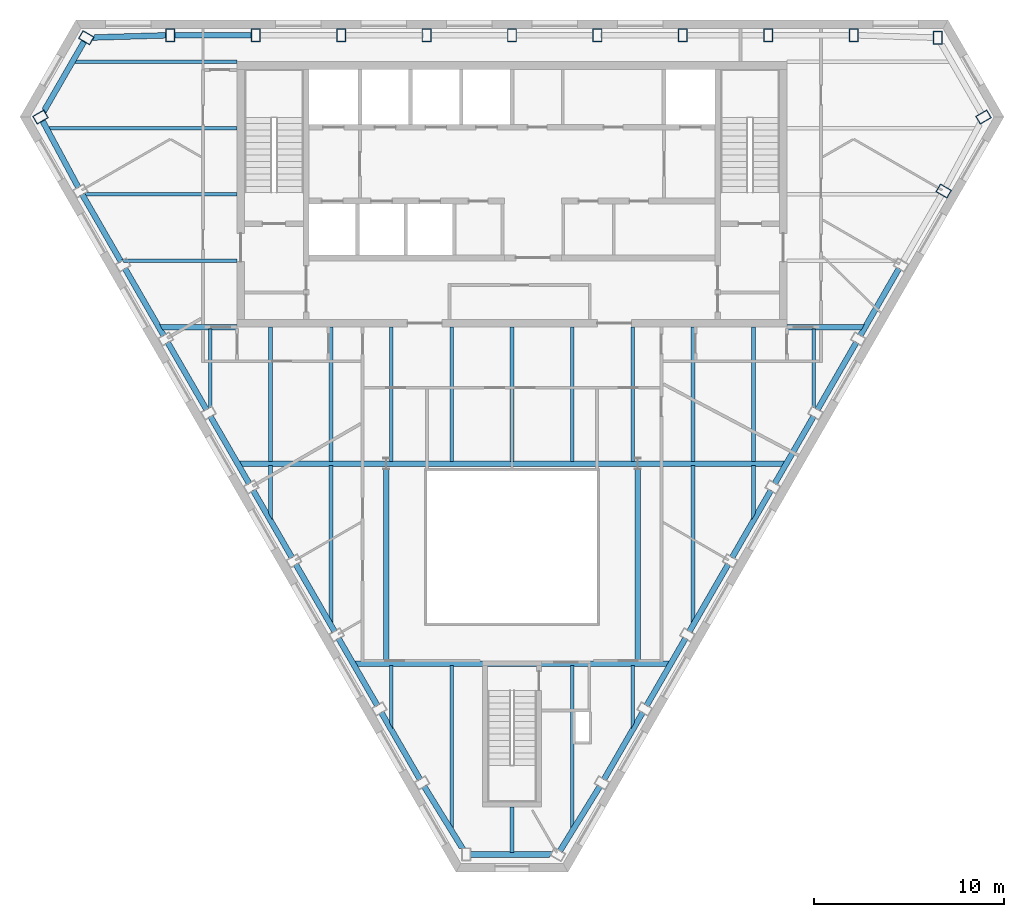
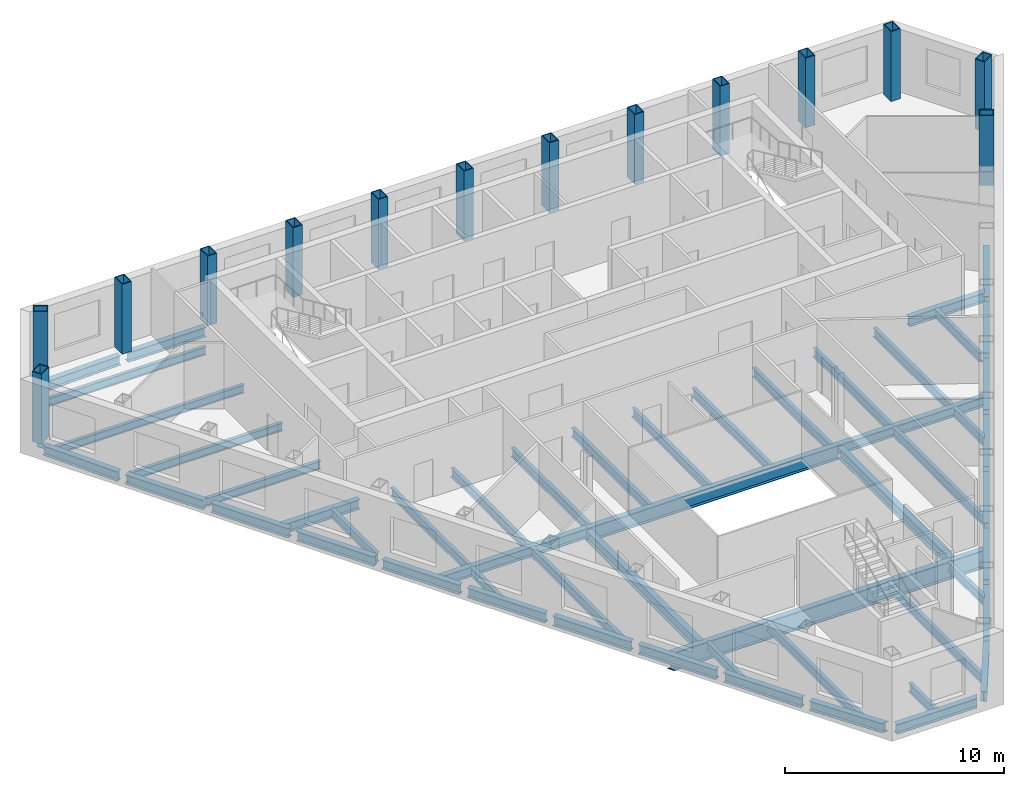
# One storey, part 2 of 10: 54 beams, 14 columns.
"""IFC4 building model written with IfcOpenShell, lengths in metres."""

import ifcopenshell
import ifcopenshell.guid

model = None  # the IFC model being written
_history = None  # IfcOwnerHistory: only IFC2X3 demands one
_inside = {}  # id of a spatial element -> (the spatial element, [elements in it])
_under = {}  # id of a project, library or spatial element -> (it, [spatial elements below it])
_declared = {}  # id of a project -> (the project, [libraries it declares])
_typed = {}  # id of a type object -> (the type object, [elements of that type])
_made_of = {}  # id of a material, layer set ... -> (it, [elements and type objects made of it])


def new_model(schema):
    """Start an empty IFC model of exactly this schema.

    Asked for "IFC4X3", IfcOpenShell would pick the latest addendum, in which some entities
    have other attributes; the version numbers below select the first issue.
    IFC2X3 requires an IfcOwnerHistory on every rooted entity: one is made here for all.
    """
    global model, _history
    if schema == "IFC4X3":
        model = ifcopenshell.file(schema_version=(4, 3, 0, 0))
    else:
        model = ifcopenshell.file(schema=schema)
    _inside.clear()
    _under.clear()
    _declared.clear()
    _typed.clear()
    _made_of.clear()
    _history = None
    if model.schema == "IFC2X3":
        org = make("IfcOrganization", Name="unknown")
        user = make(
            "IfcPersonAndOrganization",
            ThePerson=make("IfcPerson", FamilyName="unknown"),
            TheOrganization=org,
        )
        app = make(
            "IfcApplication",
            ApplicationDeveloper=org,
            Version="unknown",
            ApplicationFullName="unknown",
            ApplicationIdentifier="unknown",
        )
        _history = make(
            "IfcOwnerHistory",
            OwningUser=user,
            OwningApplication=app,
            ChangeAction="ADDED",
            CreationDate=0,
        )
    return model


def make(cls, **values):
    """One entity of the class cls with the attributes given. An attribute that is None is left unset."""
    return model.create_entity(
        cls, **{name: value for name, value in values.items() if value is not None}
    )


def rooted(cls, **values):
    """An entity with a GlobalId (a new one), such as an element, a storey or a relation."""
    return make(cls, GlobalId=ifcopenshell.guid.new(), OwnerHistory=_history, **values)


def si_unit(unit_type, name, prefix=None):
    """IfcSIUnit, for example si_unit("LENGTHUNIT", "METRE", prefix="MILLI")."""
    return make("IfcSIUnit", UnitType=unit_type, Prefix=prefix, Name=name)


def assignment(units):
    """IfcUnitAssignment: the units of a project."""
    return None if units is None else make("IfcUnitAssignment", Units=units)


def point(xyz):
    """IfcCartesianPoint."""
    return None if xyz is None else make("IfcCartesianPoint", Coordinates=xyz)


def direction(xyz):
    """IfcDirection."""
    return None if xyz is None else make("IfcDirection", DirectionRatios=xyz)


def frame(location, z_axis=None, x_axis=None):
    """IfcAxis2Placement3D, a coordinate frame: its origin and axes. An axis left out is left unset."""
    return make(
        "IfcAxis2Placement3D",
        Location=point(location),
        Axis=direction(z_axis),
        RefDirection=direction(x_axis),
    )


def frame_2d(location, x_axis=None):
    """IfcAxis2Placement2D, a coordinate frame in the plane: its origin and x axis."""
    return make(
        "IfcAxis2Placement2D", Location=point(location), RefDirection=direction(x_axis)
    )


def origin():
    """The frame at (0, 0, 0) with its axes left unset."""
    return frame((0.0, 0.0, 0.0))


def origin_2d():
    """The frame at (0, 0) in the plane with its x axis left unset."""
    return frame_2d((0.0, 0.0))


def place(relative_to, where):
    """IfcLocalPlacement: puts the frame where relative to a parent placement (None: the world)."""
    return make(
        "IfcLocalPlacement", PlacementRelTo=relative_to, RelativePlacement=where
    )


def context(
    kind, dimensions, precision=None, world=None, true_north=None, identifier=None
):
    """IfcGeometricRepresentationContext, for example the 3D "Model" context."""
    return make(
        "IfcGeometricRepresentationContext",
        ContextIdentifier=identifier,
        ContextType=kind,
        CoordinateSpaceDimension=dimensions,
        Precision=precision,
        WorldCoordinateSystem=world,
        TrueNorth=true_north,
    )


def subcontext(parent, identifier, kind, view, scale=None):
    """IfcGeometricRepresentationSubContext, for example "Body" below "Model"."""
    return make(
        "IfcGeometricRepresentationSubContext",
        ContextIdentifier=identifier,
        ContextType=kind,
        ParentContext=parent,
        TargetScale=scale,
        TargetView=view,
    )


def project(units=None, contexts=None):
    """IfcProject with its units and contexts."""
    return rooted(
        "IfcProject",
        Name="project",
        RepresentationContexts=contexts,
        UnitsInContext=assignment(units),
    )


def spatial(cls, under=None, at=None, **own):
    """A site, building, storey or space (cls), placed at a placement, below another one or the project."""
    s = rooted(cls, ObjectPlacement=at, **own)
    if under is not None:
        _under.setdefault(under.id(), (under, []))[1].append(s)
    return s


def profile(cls, at=None, kind="AREA", **sizes):
    """A parametric profile (cls). Its sizes go by their IFC names, for example OverallWidth=200.0."""
    return make(cls, ProfileType=kind, Position=at, **sizes)


def hollow_rectangle(**sizes):
    """IfcRectangleHollowProfileDef."""
    return profile("IfcRectangleHollowProfileDef", **sizes)


def i_section(**sizes):
    """IfcIShapeProfileDef."""
    return profile("IfcIShapeProfileDef", **sizes)


def extrude(swept, where, along, depth):
    """IfcExtrudedAreaSolid: the profile swept, set in the frame where, extruded along a direction by depth."""
    return make(
        "IfcExtrudedAreaSolid",
        SweptArea=swept,
        Position=where,
        ExtrudedDirection=direction(along),
        Depth=depth,
    )


def clip(a, b, op="DIFFERENCE"):
    """IfcBooleanClippingResult: the solid a cut by the half space b."""
    return make(
        "IfcBooleanClippingResult", Operator=op, FirstOperand=a, SecondOperand=b
    )


def halfspace(plane, agree):
    """IfcHalfSpaceSolid: all space on one side of the plane z = 0 of the frame plane."""
    return make(
        "IfcHalfSpaceSolid",
        BaseSurface=make("IfcPlane", Position=plane),
        AgreementFlag=agree,
    )


def shape(context_of_items, identifier, shape_type, items):
    """IfcShapeRepresentation: the items that make up one representation, for example the "Body"."""
    return make(
        "IfcShapeRepresentation",
        ContextOfItems=context_of_items,
        RepresentationIdentifier=identifier,
        RepresentationType=shape_type,
        Items=items,
    )


def material(Name=None, Category=None):
    """IfcMaterial."""
    return make("IfcMaterial", Name=Name, Category=Category)


def material_profile(
    of_material, cross_section, Name=None, Category=None, Priority=None
):
    """IfcMaterialProfile: a cross section and its material."""
    return make(
        "IfcMaterialProfile",
        Name=Name,
        Material=of_material,
        Profile=cross_section,
        Priority=Priority,
        Category=Category,
    )


def profile_set(profiles, Name=None, composite=None):
    """IfcMaterialProfileSet."""
    return make(
        "IfcMaterialProfileSet",
        Name=Name,
        MaterialProfiles=profiles,
        CompositeProfile=composite,
    )


def made_of(thing, what):
    """Note that an element or type object is made of a material, layer set ...; save() writes the relation."""
    if what is not None:
        _made_of.setdefault(what.id(), (what, []))[1].append(thing)
    return thing


def type_object(cls, material=None, **own):
    """A type object (cls), such as IfcWallType, which elements share."""
    return made_of(rooted(cls, **own), material)


def element(
    cls,
    number,
    at=None,
    inside=None,
    cuts=None,
    type_object=None,
    material=None,
    context=None,
    identifier="Body",
    shape_type=None,
    held_by="IfcProductDefinitionShape",
    body=None,
    shapes=None,
    **own,
):
    """One element of the class cls, such as IfcWall. Its Tag is "e" and its number.

    at: its placement. inside: the storey or other place that contains it. cuts: it is an
    opening in that element (IfcRelVoidsElement). A single representation is given by context,
    identifier, shape_type and body (its items); several are given by shapes. held_by: the class
    of the entity that holds the representations. save() writes the other relations.
    """
    e = rooted(cls, Tag="e%d" % number, ObjectPlacement=at, **own)
    if body is not None:
        shapes = [shape(context, identifier, shape_type, body)]
    if shapes is not None:
        e.Representation = make(held_by, Representations=shapes)
    if inside is not None:
        _inside.setdefault(inside.id(), (inside, []))[1].append(e)
    if cuts is not None:
        rooted(
            "IfcRelVoidsElement", RelatingBuildingElement=cuts, RelatedOpeningElement=e
        )
    if type_object is not None:
        _typed.setdefault(type_object.id(), (type_object, []))[1].append(e)
    return made_of(e, material)


def aggregate(whole, parts):
    """IfcRelAggregates: a whole, such as a stair, and the parts it consists of."""
    return rooted("IfcRelAggregates", RelatingObject=whole, RelatedObjects=parts)


def save(model, path):
    """Write the relations noted so far, then the file.

    IfcRelAggregates (storeys below a building ...), IfcRelContainedInSpatialStructure (elements
    in a storey), IfcRelDefinesByType, IfcRelAssociatesMaterial and IfcRelDeclares: one each for
    every whole, place, type object, material and project.
    """
    for whole, parts in _under.values():
        aggregate(whole, parts)
    for where, things in _inside.values():
        rooted(
            "IfcRelContainedInSpatialStructure",
            RelatedElements=things,
            RelatingStructure=where,
        )
    for kind, things in _typed.values():
        rooted("IfcRelDefinesByType", RelatedObjects=things, RelatingType=kind)
    for what, things in _made_of.values():
        rooted("IfcRelAssociatesMaterial", RelatedObjects=things, RelatingMaterial=what)
    for by, libraries in _declared.values():
        rooted("IfcRelDeclares", RelatingContext=by, RelatedDefinitions=libraries)
    model.write(path)


model = new_model("IFC4")

# Units and contexts
model_context = context("Model", 3, precision=1e-05, world=origin(), true_north=direction((0.0, 1.0)))
body_context = subcontext(model_context, "Body", "Model", "MODEL_VIEW")
ifc_project = project(units=[si_unit("LENGTHUNIT", "METRE"), si_unit("AREAUNIT", "SQUARE_METRE"), si_unit("VOLUMEUNIT", "CUBIC_METRE"), si_unit("PLANEANGLEUNIT", "RADIAN"), si_unit("MASSUNIT", "GRAM", prefix="KILO")], contexts=[model_context])

# Site, building, storey
site_placement = place(None, origin())
site = spatial("IfcSite", under=ifc_project, at=site_placement, CompositionType="ELEMENT")
building_placement = place(site_placement, origin())
building = spatial("IfcBuilding", under=site, at=building_placement, Name="Njiva Tower", CompositionType="ELEMENT")
storey_placement = place(building_placement, frame((0.0, 0.0, 264.9)))
storey = spatial("IfcBuildingStorey", under=building, at=storey_placement, Name="L60", CompositionType="ELEMENT", Elevation=264.9)

# Columns
ifc_material = material(Name="Steel S355 J2", Category="steel")
ifc_material_profile_1 = material_profile(ifc_material, hollow_rectangle(XDim=0.5, YDim=0.7, WallThickness=0.045, at=origin_2d()), Name="BOX 700x500x45")
ifc_profile_set_1 = profile_set([ifc_material_profile_1], Name="Steel S355 J2")
column_type = type_object("IfcColumnType", Name="C13 Perimeter tube column BOX 700x500x45", PredefinedType="COLUMN", material=ifc_profile_set_1)
for number, where, z_axis, x_axis, name in (
    (1, (22.456, 19.267, 0.0), (0.0, 0.0, 1.0), (-1.0, 0.0, 0.0), "Perimeter tube column S19-C01"),
    (2, (18.026, 19.4, 0.0), (0.0, 0.0, 1.0), (-1.0, 0.0, 0.0), "Perimeter tube column S19-C02"),
    (3, (13.52, 19.4, 0.0), (0.0, 0.0, 1.0), (-1.0, 0.0, 0.0), "Perimeter tube column S19-C03"),
    (4, (9.013, 19.4, 0.0), (0.0, 0.0, 1.0), (-1.0, 0.0, 0.0), "Perimeter tube column S19-C04"),
    (5, (4.507, 19.4, 0.0), (0.0, 0.0, 1.0), (-1.0, 0.0, 0.0), "Perimeter tube column S19-C05"),
    (6, (0.0, 19.4, 0.0), (0.0, 0.0, 1.0), (-1.0, 0.0, 0.0), "Perimeter tube column S19-C06"),
    (7, (-4.507, 19.4, 0.0), (0.0, 0.0, 1.0), (-1.0, 0.0, 0.0), "Perimeter tube column S19-C07"),
    (8, (-9.013, 19.4, 0.0), (0.0, 0.0, 1.0), (-1.0, 0.0, 0.0), "Perimeter tube column S19-C08"),
    (9, (-13.52, 19.4, 0.0), (0.0, 0.0, 1.0), (-1.0, 0.0, 0.0), "Perimeter tube column S19-C09"),
    (10, (-18.026, 19.4, 0.0), (0.0, 0.0, 1.0), (-1.0, 0.0, 0.0), "Perimeter tube column S19-C10"),
    (11, (-22.456, 19.267, 0.0), (0.0, 0.0, 1.0), (-0.5, -0.866025403784, 0.0), "Perimeter tube column S19-C11"),
    (12, (-24.873, 15.082, 0.0), (0.0, 0.0, 1.0), (0.5, -0.866025403784, 0.0), "Perimeter tube column S19-C12"),
    (13, (22.773, 11.179, 0.0), (0.0, 0.0, 1.0), (0.5, 0.866025403784, 0.0), "Perimeter tube column S19-C32"),
    (14, (24.873, 15.082, 0.0), (0.0, 0.0, 1.0), (-0.5, 0.866025403784, 0.0), "Perimeter tube column S19-C33"),
):
    element("IfcColumn", number, at=place(storey_placement, frame(where, z_axis=z_axis, x_axis=x_axis)), inside=storey, type_object=column_type, Name=name, PredefinedType="COLUMN", context=body_context, shape_type="SweptSolid", body=[
        extrude(hollow_rectangle(XDim=0.5, YDim=0.7, WallThickness=0.045, at=origin_2d()), origin(), (0.0, 0.0, 1.0), 3.9),
    ])

# Beams
ifc_material_profile_2 = material_profile(ifc_material, i_section(OverallWidth=0.3, OverallDepth=0.59, WebThickness=0.013, FlangeThickness=0.025, at=origin_2d()), Name="HEA 600")
ifc_profile_set_2 = profile_set([ifc_material_profile_2], Name="Steel S355 J2")
beam_type_1 = type_object("IfcBeamType", Name="B30 Long-span atrium trimmer beam HEA 600", PredefinedType="BEAM", material=ifc_profile_set_2)
for number, where, z_axis, x_axis, name in (
    (15, (6.63, -13.649, -0.495), (0.0, 1.0, 0.0), (-1.0, 0.0, 0.0), "Long-span atrium trimmer beam S19-B065"),
    (16, (-6.63, -3.45, -0.495), (0.0, -1.0, 0.0), (1.0, 0.0, 0.0), "Long-span atrium trimmer beam S19-B062"),
):
    element("IfcBeam", number, at=place(storey_placement, frame(where, z_axis=z_axis, x_axis=x_axis)), inside=storey, type_object=beam_type_1, Name=name, PredefinedType="BEAM", context=body_context, shape_type="SweptSolid", body=[
        extrude(i_section(OverallWidth=0.3, OverallDepth=0.59, WebThickness=0.013, FlangeThickness=0.025, at=origin_2d()), origin(), (0.0, 0.0, 1.0), 10.199),
    ])
ifc_material_profile_3 = material_profile(ifc_material, i_section(OverallWidth=0.19, OverallDepth=0.45, WebThickness=0.0094, FlangeThickness=0.0146, at=origin_2d()), Name="IPE 450")
ifc_profile_set_3 = profile_set([ifc_material_profile_3], Name="Steel S355 J2")
beam_type_2 = type_object("IfcBeamType", Name="B37 Floor beam to the core IPE 450", PredefinedType="BEAM", material=ifc_profile_set_3)
beam_1_placement = place(storey_placement, frame((-20.608, 7.5, -0.425), z_axis=(1.0, 0.0, 0.0), x_axis=(0.0, 1.0, 0.0)))
element("IfcBeam", 17, at=beam_1_placement, inside=storey, type_object=beam_type_2, Name="Floor beam to the core S19-B005", PredefinedType="BEAM", context=body_context, shape_type="Clipping", body=[
    clip(extrude(i_section(OverallWidth=0.19, OverallDepth=0.45, WebThickness=0.0094, FlangeThickness=0.0146, at=origin_2d()), origin(), (0.0, 0.0, 1.0), 6.108), halfspace(frame((-0.025, 0.0, 0.089), z_axis=(-0.499998009787, 0.0, -0.866026552831), x_axis=(0.0, -1.0, 0.0)), False)),
])
beam_2_placement = place(storey_placement, frame((-22.868, 11.0, -0.425), z_axis=(1.0, 0.0, 0.0), x_axis=(0.0, 1.0, 0.0)))
element("IfcBeam", 18, at=beam_2_placement, inside=storey, type_object=beam_type_2, Name="Floor beam to the core S19-B003", PredefinedType="BEAM", context=body_context, shape_type="Clipping", body=[
    clip(extrude(i_section(OverallWidth=0.19, OverallDepth=0.45, WebThickness=0.0094, FlangeThickness=0.0146, at=origin_2d()), origin(), (0.0, 0.0, 1.0), 8.368), halfspace(frame((0.0433, 0.0, 0.26), z_axis=(0.866026552831, 0.0, -0.499998009787), x_axis=(0.0, -1.0, 0.0)), False)),
])
beam_3_placement = place(storey_placement, frame((-23.147, 18.0, -0.425), z_axis=(1.0, 0.0, 0.0), x_axis=(0.0, 1.0, 0.0)))
element("IfcBeam", 19, at=beam_3_placement, inside=storey, type_object=beam_type_2, Name="Floor beam to the core S19-B002", PredefinedType="BEAM", context=body_context, shape_type="Clipping", body=[
    clip(extrude(i_section(OverallWidth=0.19, OverallDepth=0.45, WebThickness=0.0094, FlangeThickness=0.0146, at=origin_2d()), origin(), (0.0, 0.0, 1.0), 8.647), halfspace(frame((0.025, 0.0, 0.0892), z_axis=(0.499998009787, 0.0, -0.866026552831), x_axis=(0.0, -1.0, 0.0)), False)),
])
ifc_material_profile_4 = material_profile(ifc_material, i_section(OverallWidth=0.3, OverallDepth=0.54, WebThickness=0.0125, FlangeThickness=0.024, at=origin_2d()), Name="HEA 550")
ifc_profile_set_4 = profile_set([ifc_material_profile_4], Name="Steel S355 J2")
beam_type_3 = type_object("IfcBeamType", Name="B39 Short-span spandrel beam HEA 550", PredefinedType="SPANDREL", material=ifc_profile_set_4)
beam_4_placement = place(storey_placement, frame((-13.72, 19.4, -0.47), z_axis=(-1.0, 0.0, 0.0), x_axis=(0.0, -1.0, 0.0)))
element("IfcBeam", 20, at=beam_4_placement, inside=storey, type_object=beam_type_3, Name="Short-span spandrel beam S19-B080", PredefinedType="SPANDREL", context=body_context, shape_type="SweptSolid", body=[
    extrude(i_section(OverallWidth=0.3, OverallDepth=0.54, WebThickness=0.0125, FlangeThickness=0.024, at=origin_2d()), origin(), (0.0, 0.0, 1.0), 4.106),
])
beam_5_placement = place(storey_placement, frame((-18.23, 19.394, -0.47), z_axis=(-0.999544251212, -0.030187578057, 0.0), x_axis=(0.030187578057, -0.999544251212, 0.0)))
element("IfcBeam", 21, at=beam_5_placement, inside=storey, type_object=beam_type_3, Name="Short-span spandrel beam S19-B074", PredefinedType="SPANDREL", context=body_context, shape_type="Clipping", body=[
    clip(extrude(i_section(OverallWidth=0.3, OverallDepth=0.54, WebThickness=0.0125, FlangeThickness=0.024, at=origin_2d()), origin(), (0.0, 0.0, 1.0), 3.9888), halfspace(frame((-0.0268, 0.0, 3.859), z_axis=(-0.525913380463, 0.0, 0.850538133331), x_axis=(0.0, 1.0, 0.0)), False)),
])
beam_6_placement = place(storey_placement, frame((-22.556, 19.094, -0.47), z_axis=(-0.500052205539, -0.865995260805, 0.0), x_axis=(0.865995260805, -0.500052205539, 0.0)))
element("IfcBeam", 22, at=beam_6_placement, inside=storey, type_object=beam_type_3, Name="Short-span spandrel beam S19-B070", PredefinedType="SPANDREL", context=body_context, shape_type="Clipping", body=[
    clip(extrude(i_section(OverallWidth=0.3, OverallDepth=0.54, WebThickness=0.0125, FlangeThickness=0.024, at=origin_2d()), origin(), (0.0, 0.0, 1.0), 4.3946), halfspace(frame((-0.0248, 0.0, 4.2724), z_axis=(-0.499949782924, 0.0, 0.866054394686), x_axis=(0.0, 1.0, 0.0)), False)),
])
beam_7_placement = place(storey_placement, frame((-24.776, 14.903, -0.47), z_axis=(0.473655185063, -0.880710375585, 0.0), x_axis=(0.880710375585, 0.473655185063, 0.0)))
element("IfcBeam", 23, at=beam_7_placement, inside=storey, type_object=beam_type_3, Name="Short-span spandrel beam S19-B068", PredefinedType="SPANDREL", context=body_context, shape_type="SweptSolid", body=[
    extrude(i_section(OverallWidth=0.3, OverallDepth=0.54, WebThickness=0.0125, FlangeThickness=0.024, at=origin_2d()), origin(), (0.0, 0.0, 1.0), 4.024),
])
beam_8_placement = place(storey_placement, frame((-22.673, 11.006, -0.47), z_axis=(0.49988405051, -0.866092336905, 0.0), x_axis=(0.866092336905, 0.49988405051, 0.0)))
element("IfcBeam", 24, at=beam_8_placement, inside=storey, type_object=beam_type_3, Name="Short-span spandrel beam S19-B071", PredefinedType="SPANDREL", context=body_context, shape_type="SweptSolid", body=[
    extrude(i_section(OverallWidth=0.3, OverallDepth=0.54, WebThickness=0.0125, FlangeThickness=0.024, at=origin_2d()), origin(), (0.0, 0.0, 1.0), 4.107),
])
beam_9_placement = place(storey_placement, frame((-20.42, 7.103, -0.47), z_axis=(0.500066662559, -0.865986912717, 0.0), x_axis=(0.865986912717, 0.500066662559, 0.0)))
element("IfcBeam", 25, at=beam_9_placement, inside=storey, type_object=beam_type_3, Name="Short-span spandrel beam S19-B075", PredefinedType="SPANDREL", context=body_context, shape_type="SweptSolid", body=[
    extrude(i_section(OverallWidth=0.3, OverallDepth=0.54, WebThickness=0.0125, FlangeThickness=0.024, at=origin_2d()), origin(), (0.0, 0.0, 1.0), 4.1075),
])
beam_10_placement = place(storey_placement, frame((-18.166, 3.2, -0.47), z_axis=(0.49988405051, -0.866092336905, 0.0), x_axis=(0.866092336905, 0.49988405051, 0.0)))
element("IfcBeam", 26, at=beam_10_placement, inside=storey, type_object=beam_type_3, Name="Short-span spandrel beam S19-B077", PredefinedType="SPANDREL", context=body_context, shape_type="SweptSolid", body=[
    extrude(i_section(OverallWidth=0.3, OverallDepth=0.54, WebThickness=0.0125, FlangeThickness=0.024, at=origin_2d()), origin(), (0.0, 0.0, 1.0), 4.107),
])
beam_11_placement = place(storey_placement, frame((-15.913, -0.703, -0.47), z_axis=(0.499989486807, -0.866031473494, 0.0), x_axis=(0.866031473494, 0.499989486807, 0.0)))
element("IfcBeam", 27, at=beam_11_placement, inside=storey, type_object=beam_type_3, Name="Short-span spandrel beam S19-B081", PredefinedType="SPANDREL", context=body_context, shape_type="SweptSolid", body=[
    extrude(i_section(OverallWidth=0.3, OverallDepth=0.54, WebThickness=0.0125, FlangeThickness=0.024, at=origin_2d()), origin(), (0.0, 0.0, 1.0), 4.1061),
])
beam_12_placement = place(storey_placement, frame((-13.66, -4.605, -0.47), z_axis=(0.500066662559, -0.865986912717, 0.0), x_axis=(0.865986912717, 0.500066662559, 0.0)))
element("IfcBeam", 28, at=beam_12_placement, inside=storey, type_object=beam_type_3, Name="Short-span spandrel beam S19-B083", PredefinedType="SPANDREL", context=body_context, shape_type="SweptSolid", body=[
    extrude(i_section(OverallWidth=0.3, OverallDepth=0.54, WebThickness=0.0125, FlangeThickness=0.024, at=origin_2d()), origin(), (0.0, 0.0, 1.0), 4.1075),
])
for number, where, z_axis, x_axis, name in (
    (29, (-11.406, -8.508, -0.47), (0.49988405051, -0.866092336905, 0.0), (0.866092336905, 0.49988405051, 0.0), "Short-span spandrel beam S19-B087"),
    (30, (-9.153, -12.411, -0.47), (0.49988405051, -0.866092336905, 0.0), (0.866092336905, 0.49988405051, 0.0), "Short-span spandrel beam S19-B089"),
):
    element("IfcBeam", number, at=place(storey_placement, frame(where, z_axis=z_axis, x_axis=x_axis)), inside=storey, type_object=beam_type_3, Name=name, PredefinedType="SPANDREL", context=body_context, shape_type="SweptSolid", body=[
        extrude(i_section(OverallWidth=0.3, OverallDepth=0.54, WebThickness=0.0125, FlangeThickness=0.024, at=origin_2d()), origin(), (0.0, 0.0, 1.0), 4.107),
    ])
beam_13_placement = place(storey_placement, frame((-6.9, -16.314, -0.47), z_axis=(0.500066662559, -0.865986912717, 0.0), x_axis=(0.865986912717, 0.500066662559, 0.0)))
element("IfcBeam", 31, at=beam_13_placement, inside=storey, type_object=beam_type_3, Name="Short-span spandrel beam S19-B093", PredefinedType="SPANDREL", context=body_context, shape_type="SweptSolid", body=[
    extrude(i_section(OverallWidth=0.3, OverallDepth=0.54, WebThickness=0.0125, FlangeThickness=0.024, at=origin_2d()), origin(), (0.0, 0.0, 1.0), 4.1075),
])
beam_14_placement = place(storey_placement, frame((-4.639, -20.218, -0.47), z_axis=(0.525910354603, -0.850540004304, 0.0), x_axis=(0.850540004304, 0.525910354603, 0.0)))
element("IfcBeam", 32, at=beam_14_placement, inside=storey, type_object=beam_type_3, Name="Short-span spandrel beam S19-B095", PredefinedType="SPANDREL", context=body_context, shape_type="Clipping", body=[
    clip(extrude(i_section(OverallWidth=0.3, OverallDepth=0.54, WebThickness=0.0125, FlangeThickness=0.024, at=origin_2d()), origin(), (0.0, 0.0, 1.0), 3.9882), halfspace(frame((-0.0267, 0.0, 3.8587), z_axis=(-0.525910354603, 0.0, 0.850540004304), x_axis=(0.0, 1.0, 0.0)), False)),
])
beam_15_placement = place(storey_placement, frame((-2.216, -23.814, -0.47), z_axis=(1.0, 0.0, 0.0), x_axis=(0.0, 1.0, 0.0)))
element("IfcBeam", 33, at=beam_15_placement, inside=storey, type_object=beam_type_3, Name="Short-span spandrel beam S19-B099", PredefinedType="SPANDREL", context=body_context, shape_type="Clipping", body=[
    clip(extrude(i_section(OverallWidth=0.3, OverallDepth=0.54, WebThickness=0.0125, FlangeThickness=0.024, at=origin_2d()), origin(), (0.0, 0.0, 1.0), 4.393), halfspace(frame((-0.0246, 0.0, 4.2714), z_axis=(-0.499998009787, 0.0, 0.866026552831), x_axis=(0.0, 1.0, 0.0)), False)),
])
beam_16_placement = place(storey_placement, frame((2.523, -23.641, -0.47), z_axis=(0.525815559742, 0.850598611058, 0.0), x_axis=(-0.850598611058, 0.525815559742, 0.0)))
element("IfcBeam", 34, at=beam_16_placement, inside=storey, type_object=beam_type_3, Name="Short-span spandrel beam S19-B102", PredefinedType="SPANDREL", context=body_context, shape_type="SweptSolid", body=[
    extrude(i_section(OverallWidth=0.3, OverallDepth=0.54, WebThickness=0.0125, FlangeThickness=0.024, at=origin_2d()), origin(), (0.0, 0.0, 1.0), 4.0242),
])
beam_17_placement = place(storey_placement, frame((4.846, -19.871, -0.47), z_axis=(0.500066662559, 0.865986912717, 0.0), x_axis=(-0.865986912717, 0.500066662559, 0.0)))
element("IfcBeam", 35, at=beam_17_placement, inside=storey, type_object=beam_type_3, Name="Short-span spandrel beam S19-B106", PredefinedType="SPANDREL", context=body_context, shape_type="SweptSolid", body=[
    extrude(i_section(OverallWidth=0.3, OverallDepth=0.54, WebThickness=0.0125, FlangeThickness=0.024, at=origin_2d()), origin(), (0.0, 0.0, 1.0), 4.1075),
])
for number, where, z_axis, x_axis, name in (
    (36, (7.1, -15.968, -0.47), (0.49988405051, 0.866092336905, 0.0), (-0.866092336905, 0.49988405051, 0.0), "Short-span spandrel beam S19-B108"),
    (37, (9.353, -12.065, -0.47), (0.49988405051, 0.866092336905, 0.0), (-0.866092336905, 0.49988405051, 0.0), "Short-span spandrel beam S19-B112"),
):
    element("IfcBeam", number, at=place(storey_placement, frame(where, z_axis=z_axis, x_axis=x_axis)), inside=storey, type_object=beam_type_3, Name=name, PredefinedType="SPANDREL", context=body_context, shape_type="SweptSolid", body=[
        extrude(i_section(OverallWidth=0.3, OverallDepth=0.54, WebThickness=0.0125, FlangeThickness=0.024, at=origin_2d()), origin(), (0.0, 0.0, 1.0), 4.107),
    ])
beam_18_placement = place(storey_placement, frame((11.606, -8.162, -0.47), z_axis=(0.500066662559, 0.865986912717, 0.0), x_axis=(-0.865986912717, 0.500066662559, 0.0)))
element("IfcBeam", 38, at=beam_18_placement, inside=storey, type_object=beam_type_3, Name="Short-span spandrel beam S19-B114", PredefinedType="SPANDREL", context=body_context, shape_type="SweptSolid", body=[
    extrude(i_section(OverallWidth=0.3, OverallDepth=0.54, WebThickness=0.0125, FlangeThickness=0.024, at=origin_2d()), origin(), (0.0, 0.0, 1.0), 4.1075),
])
beam_19_placement = place(storey_placement, frame((13.86, -4.259, -0.47), z_axis=(0.499989486807, 0.866031473494, 0.0), x_axis=(-0.866031473494, 0.499989486807, 0.0)))
element("IfcBeam", 39, at=beam_19_placement, inside=storey, type_object=beam_type_3, Name="Short-span spandrel beam S19-B118", PredefinedType="SPANDREL", context=body_context, shape_type="SweptSolid", body=[
    extrude(i_section(OverallWidth=0.3, OverallDepth=0.54, WebThickness=0.0125, FlangeThickness=0.024, at=origin_2d()), origin(), (0.0, 0.0, 1.0), 4.1061),
])
beam_20_placement = place(storey_placement, frame((16.113, -0.357, -0.47), z_axis=(0.49988405051, 0.866092336905, 0.0), x_axis=(-0.866092336905, 0.49988405051, 0.0)))
element("IfcBeam", 40, at=beam_20_placement, inside=storey, type_object=beam_type_3, Name="Short-span spandrel beam S19-B120", PredefinedType="SPANDREL", context=body_context, shape_type="SweptSolid", body=[
    extrude(i_section(OverallWidth=0.3, OverallDepth=0.54, WebThickness=0.0125, FlangeThickness=0.024, at=origin_2d()), origin(), (0.0, 0.0, 1.0), 4.107),
])
beam_21_placement = place(storey_placement, frame((18.366, 3.546, -0.47), z_axis=(0.500066662559, 0.865986912717, 0.0), x_axis=(-0.865986912717, 0.500066662559, 0.0)))
element("IfcBeam", 41, at=beam_21_placement, inside=storey, type_object=beam_type_3, Name="Short-span spandrel beam S19-B124", PredefinedType="SPANDREL", context=body_context, shape_type="SweptSolid", body=[
    extrude(i_section(OverallWidth=0.3, OverallDepth=0.54, WebThickness=0.0125, FlangeThickness=0.024, at=origin_2d()), origin(), (0.0, 0.0, 1.0), 4.1075),
])
ifc_material_profile_5 = material_profile(ifc_material, i_section(OverallWidth=0.3, OverallDepth=0.54, WebThickness=0.0125, FlangeThickness=0.024, at=origin_2d()), Name="HEA 550")
ifc_profile_set_5 = profile_set([ifc_material_profile_5], Name="Steel S355 J2")
beam_type_4 = type_object("IfcBeamType", Name="B40 Floor girder HEA 550", PredefinedType="BEAM", material=ifc_profile_set_5)
beam_22_placement = place(storey_placement, frame((-14.463, -3.2, -0.47), z_axis=(1.0, 0.0, 0.0), x_axis=(0.0, 1.0, 0.0)))
element("IfcBeam", 42, at=beam_22_placement, inside=storey, type_object=beam_type_4, Name="Floor girder S19-B012", PredefinedType="BEAM", context=body_context, shape_type="Clipping", body=[
    clip(extrude(i_section(OverallWidth=0.3, OverallDepth=0.54, WebThickness=0.0125, FlangeThickness=0.024, at=origin_2d()), origin(), (0.0, 0.0, 1.0), 7.833), halfspace(frame((-0.025, 0.0, 0.1217), z_axis=(-0.499998009787, 0.0, -0.866026552831), x_axis=(0.0, -1.0, 0.0)), False)),
])
beam_23_placement = place(storey_placement, frame((6.63, -3.2, -0.47), z_axis=(1.0, 0.0, 0.0), x_axis=(0.0, 1.0, 0.0)))
element("IfcBeam", 43, at=beam_23_placement, inside=storey, type_object=beam_type_4, Name="Floor girder S19-B013", PredefinedType="BEAM", context=body_context, shape_type="Clipping", body=[
    clip(extrude(i_section(OverallWidth=0.3, OverallDepth=0.54, WebThickness=0.0125, FlangeThickness=0.024, at=origin_2d()), origin(), (0.0, 0.0, 1.0), 7.833), halfspace(frame((-0.025, 0.0, 7.7113), z_axis=(-0.499998009787, 0.0, 0.866026552831), x_axis=(0.0, 1.0, 0.0)), False)),
])
ifc_material_profile_6 = material_profile(ifc_material, i_section(OverallWidth=0.3, OverallDepth=0.54, WebThickness=0.0125, FlangeThickness=0.024, at=origin_2d()), Name="HEA 550")
ifc_profile_set_6 = profile_set([ifc_material_profile_6], Name="Steel S355 J2")
beam_type_5 = type_object("IfcBeamType", Name="B41 Short-span floor girder HEA 550", PredefinedType="BEAM", material=ifc_profile_set_6)
beam_24_placement = place(storey_placement, frame((-18.62, 4.0, -0.47), z_axis=(1.0, 0.0, 0.0), x_axis=(0.0, 1.0, 0.0)))
element("IfcBeam", 44, at=beam_24_placement, inside=storey, type_object=beam_type_5, Name="Short-span floor girder S19-B011", PredefinedType="BEAM", context=body_context, shape_type="Clipping", body=[
    clip(extrude(i_section(OverallWidth=0.3, OverallDepth=0.54, WebThickness=0.0125, FlangeThickness=0.024, at=origin_2d()), origin(), (0.0, 0.0, 1.0), 4.12), halfspace(frame((-0.025, 0.0, 0.1217), z_axis=(-0.499998009787, 0.0, -0.866026552831), x_axis=(0.0, -1.0, 0.0)), False)),
])
beam_25_placement = place(storey_placement, frame((14.5, 4.0, -0.47), z_axis=(1.0, 0.0, 0.0), x_axis=(0.0, 1.0, 0.0)))
element("IfcBeam", 45, at=beam_25_placement, inside=storey, type_object=beam_type_5, Name="Short-span floor girder S19-B014", PredefinedType="BEAM", context=body_context, shape_type="Clipping", body=[
    clip(extrude(i_section(OverallWidth=0.3, OverallDepth=0.54, WebThickness=0.0125, FlangeThickness=0.024, at=origin_2d()), origin(), (0.0, 0.0, 1.0), 4.12), halfspace(frame((-0.025, 0.0, 3.9983), z_axis=(-0.499998009787, 0.0, 0.866026552831), x_axis=(0.0, 1.0, 0.0)), False)),
])
ifc_material_profile_7 = material_profile(ifc_material, i_section(OverallWidth=0.2, OverallDepth=0.5, WebThickness=0.0102, FlangeThickness=0.016, at=origin_2d()), Name="IPE 500")
ifc_profile_set_7 = profile_set([ifc_material_profile_7], Name="Steel S355 J2")
beam_type_6 = type_object("IfcBeamType", Name="B42 Short-span floor joist IPE 500", PredefinedType="JOIST", material=ifc_profile_set_7)
beam_26_placement = place(storey_placement, frame((-15.917, 3.9, -0.45), z_axis=(0.0, -1.0, 0.0), x_axis=(1.0, 0.0, 0.0)))
element("IfcBeam", 46, at=beam_26_placement, inside=storey, type_object=beam_type_6, Name="Short-span floor joist S19-B040", PredefinedType="JOIST", context=body_context, shape_type="Clipping", body=[
    clip(extrude(i_section(OverallWidth=0.2, OverallDepth=0.5, WebThickness=0.0102, FlangeThickness=0.016, at=origin_2d()), origin(), (0.0, 0.0, 1.0), 4.221), halfspace(frame((0.0253, 0.0, 4.129), z_axis=(0.499998009787, 0.0, 0.866026552831), x_axis=(0.0, 1.0, 0.0)), False)),
])
beam_27_placement = place(storey_placement, frame((-12.733, -3.3, -0.45), z_axis=(0.0, -1.0, 0.0), x_axis=(1.0, 0.0, 0.0)))
element("IfcBeam", 47, at=beam_27_placement, inside=storey, type_object=beam_type_6, Name="Short-span floor joist S19-B041", PredefinedType="JOIST", context=body_context, shape_type="Clipping", body=[
    clip(extrude(i_section(OverallWidth=0.2, OverallDepth=0.5, WebThickness=0.0102, FlangeThickness=0.016, at=origin_2d()), origin(), (0.0, 0.0, 1.0), 2.903), halfspace(frame((-0.0436, 0.0, 2.6351), z_axis=(-0.866026552831, 0.0, 0.499998009787), x_axis=(0.0, 1.0, 0.0)), False)),
])
beam_28_placement = place(storey_placement, frame((-6.367, -13.851, -0.45), z_axis=(0.0, -1.0, 0.0), x_axis=(1.0, 0.0, 0.0)))
element("IfcBeam", 48, at=beam_28_placement, inside=storey, type_object=beam_type_6, Name="Short-span floor joist S19-B045", PredefinedType="JOIST", context=body_context, shape_type="Clipping", body=[
    clip(extrude(i_section(OverallWidth=0.2, OverallDepth=0.5, WebThickness=0.0102, FlangeThickness=0.016, at=origin_2d()), origin(), (0.0, 0.0, 1.0), 3.38), halfspace(frame((-0.043, 0.0, 3.1115), z_axis=(-0.866026552831, 0.0, 0.499998009787), x_axis=(0.0, 1.0, 0.0)), False)),
])
beam_29_placement = place(storey_placement, frame((0.0, -21.3, -0.45), z_axis=(0.0, -1.0, 0.0), x_axis=(1.0, 0.0, 0.0)))
element("IfcBeam", 49, at=beam_29_placement, inside=storey, type_object=beam_type_6, Name="Short-span floor joist S19-B049", PredefinedType="JOIST", context=body_context, shape_type="SweptSolid", body=[
    extrude(i_section(OverallWidth=0.2, OverallDepth=0.5, WebThickness=0.0102, FlangeThickness=0.016, at=origin_2d()), origin(), (0.0, 0.0, 1.0), 2.414),
])
beam_30_placement = place(storey_placement, frame((6.367, -13.851, -0.45), z_axis=(0.0, -1.0, 0.0), x_axis=(1.0, 0.0, 0.0)))
element("IfcBeam", 50, at=beam_30_placement, inside=storey, type_object=beam_type_6, Name="Short-span floor joist S19-B053", PredefinedType="JOIST", context=body_context, shape_type="Clipping", body=[
    clip(extrude(i_section(OverallWidth=0.2, OverallDepth=0.5, WebThickness=0.0102, FlangeThickness=0.016, at=origin_2d()), origin(), (0.0, 0.0, 1.0), 3.38), halfspace(frame((0.043, 0.0, 3.1115), z_axis=(0.866026552831, 0.0, 0.499998009787), x_axis=(0.0, 1.0, 0.0)), False)),
])
beam_31_placement = place(storey_placement, frame((12.733, -3.3, -0.45), z_axis=(0.0, -1.0, 0.0), x_axis=(1.0, 0.0, 0.0)))
element("IfcBeam", 51, at=beam_31_placement, inside=storey, type_object=beam_type_6, Name="Short-span floor joist S19-B057", PredefinedType="JOIST", context=body_context, shape_type="Clipping", body=[
    clip(extrude(i_section(OverallWidth=0.2, OverallDepth=0.5, WebThickness=0.0102, FlangeThickness=0.016, at=origin_2d()), origin(), (0.0, 0.0, 1.0), 2.903), halfspace(frame((0.0436, 0.0, 2.6351), z_axis=(0.866026552831, 0.0, 0.499998009787), x_axis=(0.0, 1.0, 0.0)), False)),
])
beam_32_placement = place(storey_placement, frame((15.917, 3.9, -0.45), z_axis=(0.0, -1.0, 0.0), x_axis=(1.0, 0.0, 0.0)))
element("IfcBeam", 52, at=beam_32_placement, inside=storey, type_object=beam_type_6, Name="Short-span floor joist S19-B060", PredefinedType="JOIST", context=body_context, shape_type="Clipping", body=[
    clip(extrude(i_section(OverallWidth=0.2, OverallDepth=0.5, WebThickness=0.0102, FlangeThickness=0.016, at=origin_2d()), origin(), (0.0, 0.0, 1.0), 4.221), halfspace(frame((-0.0253, 0.0, 4.129), z_axis=(-0.499998009787, 0.0, 0.866026552831), x_axis=(0.0, 1.0, 0.0)), False)),
])
ifc_material_profile_8 = material_profile(ifc_material, i_section(OverallWidth=0.2, OverallDepth=0.5, WebThickness=0.0102, FlangeThickness=0.016, at=origin_2d()), Name="IPE 500")
ifc_profile_set_8 = profile_set([ifc_material_profile_8], Name="Steel S355 J2")
beam_type_7 = type_object("IfcBeamType", Name="B43 Floor joist IPE 500", PredefinedType="JOIST", material=ifc_profile_set_8)
for number, where, z_axis, x_axis, name in (
    (53, (-12.733, 3.995, -0.45), (0.0, -1.0, 0.0), (1.0, 0.0, 0.0), "Floor joist S19-B042"),
    (54, (-9.55, 3.995, -0.45), (0.0, -1.0, 0.0), (1.0, 0.0, 0.0), "Floor joist S19-B044"),
):
    element("IfcBeam", number, at=place(storey_placement, frame(where, z_axis=z_axis, x_axis=x_axis)), inside=storey, type_object=beam_type_7, Name=name, PredefinedType="JOIST", context=body_context, shape_type="SweptSolid", body=[
        extrude(i_section(OverallWidth=0.2, OverallDepth=0.5, WebThickness=0.0102, FlangeThickness=0.016, at=origin_2d()), origin(), (0.0, 0.0, 1.0), 7.095),
    ])
beam_33_placement = place(storey_placement, frame((-9.55, -3.3, -0.45), z_axis=(0.0, -1.0, 0.0), x_axis=(1.0, 0.0, 0.0)))
element("IfcBeam", 55, at=beam_33_placement, inside=storey, type_object=beam_type_7, Name="Floor joist S19-B043", PredefinedType="JOIST", context=body_context, shape_type="Clipping", body=[
    clip(extrude(i_section(OverallWidth=0.2, OverallDepth=0.5, WebThickness=0.0102, FlangeThickness=0.016, at=origin_2d()), origin(), (0.0, 0.0, 1.0), 8.417), halfspace(frame((-0.0433, 0.0, 8.1488), z_axis=(-0.866026552831, 0.0, 0.499998009787), x_axis=(0.0, 1.0, 0.0)), False)),
])
for number, where, z_axis, x_axis, name in (
    (56, (-6.367, 3.995, -0.45), (0.0, -1.0, 0.0), (1.0, 0.0, 0.0), "Floor joist S19-B046"),
    (57, (-3.183, 3.995, -0.45), (0.0, -1.0, 0.0), (1.0, 0.0, 0.0), "Floor joist S19-B048"),
):
    element("IfcBeam", number, at=place(storey_placement, frame(where, z_axis=z_axis, x_axis=x_axis)), inside=storey, type_object=beam_type_7, Name=name, PredefinedType="JOIST", context=body_context, shape_type="SweptSolid", body=[
        extrude(i_section(OverallWidth=0.2, OverallDepth=0.5, WebThickness=0.0102, FlangeThickness=0.016, at=origin_2d()), origin(), (0.0, 0.0, 1.0), 7.095),
    ])
beam_34_placement = place(storey_placement, frame((-3.183, -13.851, -0.45), z_axis=(0.0, -1.0, 0.0), x_axis=(1.0, 0.0, 0.0)))
element("IfcBeam", 58, at=beam_34_placement, inside=storey, type_object=beam_type_7, Name="Floor joist S19-B047", PredefinedType="JOIST", context=body_context, shape_type="Clipping", body=[
    clip(extrude(i_section(OverallWidth=0.2, OverallDepth=0.5, WebThickness=0.0102, FlangeThickness=0.016, at=origin_2d()), origin(), (0.0, 0.0, 1.0), 8.713), halfspace(frame((-0.0429, 0.0, 8.4627), z_axis=(-0.850615955969, 0.0, 0.525787500281), x_axis=(0.0, 1.0, 0.0)), False)),
])
for number, where, z_axis, x_axis, name in (
    (59, (0.0, 3.995, -0.45), (0.0, -1.0, 0.0), (1.0, 0.0, 0.0), "Floor joist S19-B050"),
    (60, (3.183, 3.995, -0.45), (0.0, -1.0, 0.0), (1.0, 0.0, 0.0), "Floor joist S19-B052"),
):
    element("IfcBeam", number, at=place(storey_placement, frame(where, z_axis=z_axis, x_axis=x_axis)), inside=storey, type_object=beam_type_7, Name=name, PredefinedType="JOIST", context=body_context, shape_type="SweptSolid", body=[
        extrude(i_section(OverallWidth=0.2, OverallDepth=0.5, WebThickness=0.0102, FlangeThickness=0.016, at=origin_2d()), origin(), (0.0, 0.0, 1.0), 7.095),
    ])
beam_35_placement = place(storey_placement, frame((3.183, -13.851, -0.45), z_axis=(0.0, -1.0, 0.0), x_axis=(1.0, 0.0, 0.0)))
element("IfcBeam", 61, at=beam_35_placement, inside=storey, type_object=beam_type_7, Name="Floor joist S19-B051", PredefinedType="JOIST", context=body_context, shape_type="Clipping", body=[
    clip(extrude(i_section(OverallWidth=0.2, OverallDepth=0.5, WebThickness=0.0102, FlangeThickness=0.016, at=origin_2d()), origin(), (0.0, 0.0, 1.0), 8.713), halfspace(frame((0.0429, 0.0, 8.4627), z_axis=(0.850615955969, 0.0, 0.525787500281), x_axis=(0.0, 1.0, 0.0)), False)),
])
for number, where, z_axis, x_axis, name in (
    (62, (6.367, 3.995, -0.45), (0.0, -1.0, 0.0), (1.0, 0.0, 0.0), "Floor joist S19-B054"),
    (63, (9.55, 3.995, -0.45), (0.0, -1.0, 0.0), (1.0, 0.0, 0.0), "Floor joist S19-B056"),
):
    element("IfcBeam", number, at=place(storey_placement, frame(where, z_axis=z_axis, x_axis=x_axis)), inside=storey, type_object=beam_type_7, Name=name, PredefinedType="JOIST", context=body_context, shape_type="SweptSolid", body=[
        extrude(i_section(OverallWidth=0.2, OverallDepth=0.5, WebThickness=0.0102, FlangeThickness=0.016, at=origin_2d()), origin(), (0.0, 0.0, 1.0), 7.095),
    ])
beam_36_placement = place(storey_placement, frame((9.55, -3.3, -0.45), z_axis=(0.0, -1.0, 0.0), x_axis=(1.0, 0.0, 0.0)))
element("IfcBeam", 64, at=beam_36_placement, inside=storey, type_object=beam_type_7, Name="Floor joist S19-B055", PredefinedType="JOIST", context=body_context, shape_type="Clipping", body=[
    clip(extrude(i_section(OverallWidth=0.2, OverallDepth=0.5, WebThickness=0.0102, FlangeThickness=0.016, at=origin_2d()), origin(), (0.0, 0.0, 1.0), 8.417), halfspace(frame((0.0433, 0.0, 8.1488), z_axis=(0.866026552831, 0.0, 0.499998009787), x_axis=(0.0, 1.0, 0.0)), False)),
])
beam_37_placement = place(storey_placement, frame((12.733, 3.995, -0.45), z_axis=(0.0, -1.0, 0.0), x_axis=(1.0, 0.0, 0.0)))
element("IfcBeam", 65, at=beam_37_placement, inside=storey, type_object=beam_type_7, Name="Floor joist S19-B058", PredefinedType="JOIST", context=body_context, shape_type="SweptSolid", body=[
    extrude(i_section(OverallWidth=0.2, OverallDepth=0.5, WebThickness=0.0102, FlangeThickness=0.016, at=origin_2d()), origin(), (0.0, 0.0, 1.0), 7.095),
])
ifc_material_profile_9 = material_profile(ifc_material, i_section(OverallWidth=0.19, OverallDepth=0.45, WebThickness=0.0094, FlangeThickness=0.0146, at=origin_2d()), Name="IPE 450")
ifc_profile_set_9 = profile_set([ifc_material_profile_9], Name="Steel S355 J2")
beam_type_8 = type_object("IfcBeamType", Name="B45 Long-span floor beam to the core IPE 450", PredefinedType="BEAM", material=ifc_profile_set_9)
beam_38_placement = place(storey_placement, frame((-24.517, 14.5, -0.425), z_axis=(1.0, 0.0, 0.0), x_axis=(0.0, 1.0, 0.0)))
element("IfcBeam", 66, at=beam_38_placement, inside=storey, type_object=beam_type_8, Name="Long-span floor beam to the core S19-B001", PredefinedType="BEAM", context=body_context, shape_type="Clipping", body=[
    clip(extrude(i_section(OverallWidth=0.19, OverallDepth=0.45, WebThickness=0.0094, FlangeThickness=0.0146, at=origin_2d()), origin(), (0.0, 0.0, 1.0), 10.017), halfspace(frame((-0.0237, 0.0, 0.0837), z_axis=(-0.47376166762, 0.0, -0.88065309986), x_axis=(0.0, -1.0, 0.0)), False)),
])
ifc_material_profile_10 = material_profile(ifc_material, i_section(OverallWidth=0.302, OverallDepth=1.008, WebThickness=0.021, FlangeThickness=0.04, at=origin_2d()), Name="HEM 1000")
ifc_profile_set_10 = profile_set([ifc_material_profile_10], Name="Steel S355 J2")
beam_type_9 = type_object("IfcBeamType", Name="B47 Long-span atrium trimmer beam HEM 1000", PredefinedType="BEAM", material=ifc_profile_set_10)
beam_39_placement = place(storey_placement, frame((-8.372, -13.75, -0.704), z_axis=(1.0, 0.0, 0.0), x_axis=(0.0, 1.0, 0.0)))
element("IfcBeam", 67, at=beam_39_placement, inside=storey, type_object=beam_type_9, Name="Long-span atrium trimmer beam S19-B061", PredefinedType="BEAM", context=body_context, shape_type="Clipping", body=[
    clip(clip(extrude(i_section(OverallWidth=0.302, OverallDepth=1.008, WebThickness=0.021, FlangeThickness=0.04, at=origin_2d()), origin(), (0.0, 0.0, 1.0), 16.744), halfspace(frame((-0.025, 0.0, 0.1217), z_axis=(-0.499998009787, 0.0, -0.866026552831), x_axis=(0.0, -1.0, 0.0)), False)), halfspace(frame((-0.025, 0.0, 16.6223), z_axis=(-0.499998009787, 0.0, 0.866026552831), x_axis=(0.0, 1.0, 0.0)), False)),
])
ifc_material_profile_11 = material_profile(ifc_material, i_section(OverallWidth=0.3, OverallDepth=0.79, WebThickness=0.015, FlangeThickness=0.028, at=origin_2d()), Name="HEA 800")
ifc_profile_set_11 = profile_set([ifc_material_profile_11], Name="Steel S355 J2")
beam_type_10 = type_object("IfcBeamType", Name="B9 Long-span atrium trimmer beam HEA 800", PredefinedType="BEAM", material=ifc_profile_set_11)
beam_40_placement = place(storey_placement, frame((6.63, -3.2, -0.595), z_axis=(-1.0, 0.0, 0.0), x_axis=(0.0, -1.0, 0.0)))
element("IfcBeam", 68, at=beam_40_placement, inside=storey, type_object=beam_type_10, Name="Long-span atrium trimmer beam S19-B064", PredefinedType="BEAM", context=body_context, shape_type="SweptSolid", body=[
    extrude(i_section(OverallWidth=0.3, OverallDepth=0.79, WebThickness=0.015, FlangeThickness=0.028, at=origin_2d()), origin(), (0.0, 0.0, 1.0), 13.26),
])

save(model, "model.ifc")
